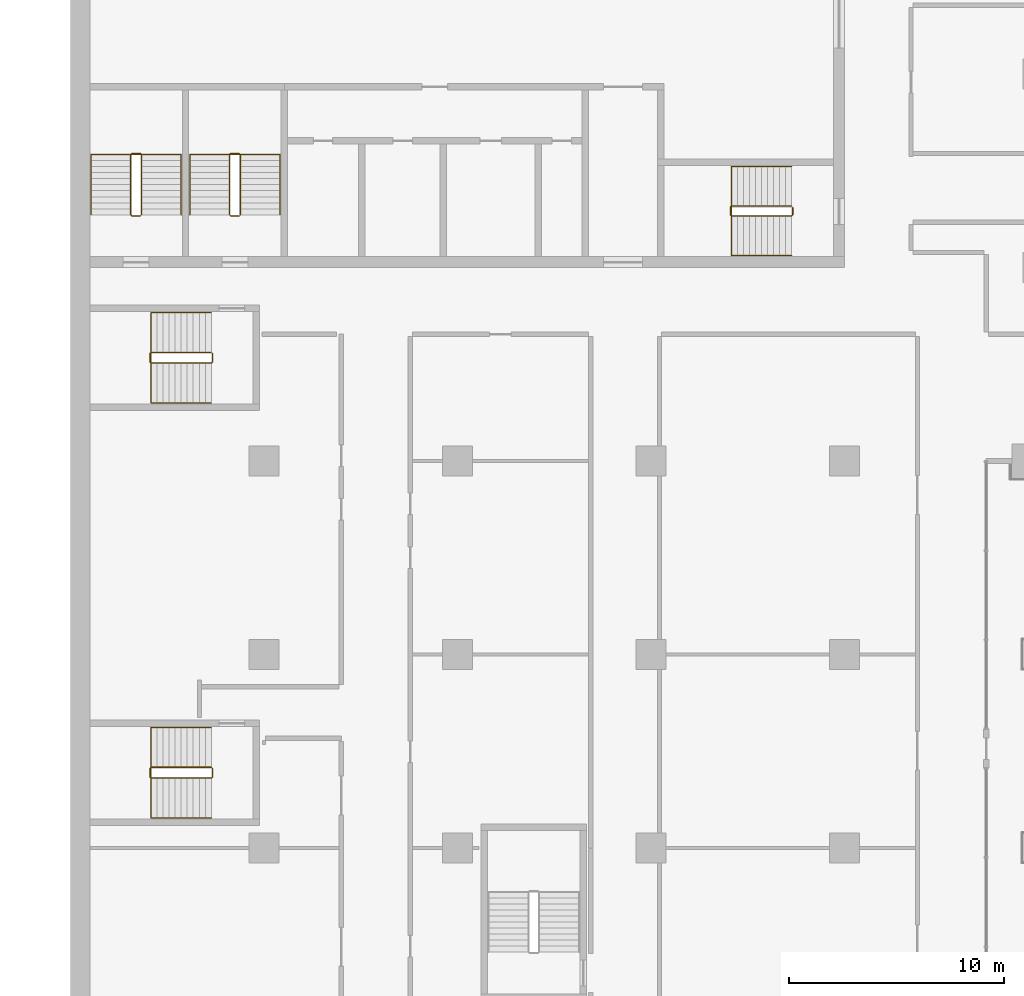
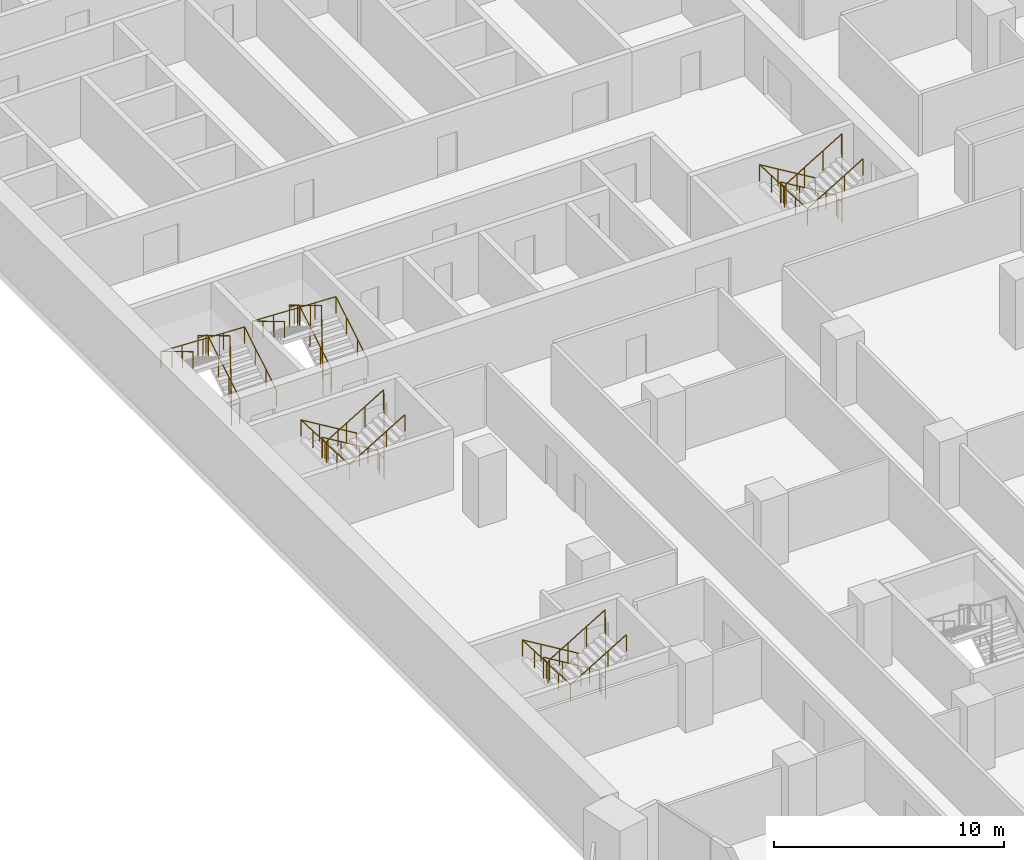
# One storey, part 25 of 28: 10 railings.
"""IFC4 building model written with IfcOpenShell, lengths in metres."""

from ifc_helpers import new_model, si_unit, direction, frame, origin, origin_2d, place, context, subcontext, project, spatial, circle, extrude, material, type_object, element, save


model = new_model("IFC4")

# Units and contexts
model_context = context("Model", 3, precision=1e-05, world=origin(), true_north=direction((0.0, 1.0)))
body_context = subcontext(model_context, "Body", "Model", "MODEL_VIEW")
ifc_project = project(units=[si_unit("LENGTHUNIT", "METRE"), si_unit("AREAUNIT", "SQUARE_METRE"), si_unit("VOLUMEUNIT", "CUBIC_METRE"), si_unit("PLANEANGLEUNIT", "RADIAN"), si_unit("MASSUNIT", "GRAM", prefix="KILO")], contexts=[model_context])

# Site, building, storey
site_placement = place(None, origin())
site = spatial("IfcSite", under=ifc_project, at=site_placement, CompositionType="ELEMENT")
building_placement = place(site_placement, origin())
building = spatial("IfcBuilding", under=site, at=building_placement, Name="Hunhe Ridgeline Campus", CompositionType="ELEMENT")
storey_placement = place(building_placement, frame((0.0, 0.0, 76.5)))
storey = spatial("IfcBuildingStorey", under=building, at=storey_placement, Name="L18", CompositionType="ELEMENT", Elevation=76.5)

# Railings
ifc_material_1 = material(Name="Stainless steel balustrade", Category="steel")
railing_type_1 = type_object("IfcRailingType", Name="Stair guard 1100 stainless", PredefinedType="GUARDRAIL", material=ifc_material_1)
railing_1_placement = place(storey_placement, frame((33.550048828125, 65.85009765625, 0.168212890625)))
element("IfcRailing", 1, at=railing_1_placement, inside=storey, type_object=railing_type_1, Name="L18 stair S2 guard", PredefinedType="GUARDRAIL", context=body_context, shape_type="SweptSolid", body=[
    extrude(circle(Radius=0.02392578125, at=origin_2d()), frame((0.0, 0.0, 1.076171875), z_axis=(-0.857242210791, 0.0, 0.514913383045), x_axis=(0.0, -1.0, 0.0)), (0.0, 0.0, 1.0), 3.266357421875),
    extrude(circle(Radius=0.02392578125, at=origin_2d()), frame((-2.800048828125, 0.0, 2.7578125), z_axis=(-0.707106781187, -0.707106781187, 0.0), x_axis=(0.707106781187, -0.707106781187, 0.0)), (0.0, 0.0, 1.0), 0.07080078125),
    extrude(circle(Radius=0.02392578125, at=origin_2d()), frame((-2.85009765625, -0.050048828125, 2.7578125), z_axis=(0.0, -1.0, 0.0), x_axis=(1.0, 0.0, 0.0)), (0.0, 0.0, 1.0), 0.35009765625),
    extrude(circle(Radius=0.02392578125, at=origin_2d()), frame((-2.85009765625, -0.400146484375, 2.7578125), z_axis=(0.274582412415, -0.274582412415, 0.921525364591), x_axis=(0.707106781187, 0.707106781187, 0.0)), (0.0, 0.0, 1.0), 0.182373046875),
    extrude(circle(Radius=0.02392578125, at=origin_2d()), frame((-2.800048828125, -0.4501953125, 2.92578125), z_axis=(0.857242210791, 0.0, 0.514913383045), x_axis=(0.0, 1.0, 0.0)), (0.0, 0.0, 1.0), 3.266357421875),
    extrude(circle(Radius=0.02392578125, at=origin_2d()), frame((0.0, -0.4501953125, 4.60791015625), z_axis=(0.013524414389, 0.013524414389, -0.999817073484), x_axis=(-0.707106781187, 0.707106781187, 0.0)), (0.0, 0.0, 1.0), 3.70068359375),
    extrude(circle(Radius=0.02392578125, at=origin_2d()), frame((0.050048828125, -0.400146484375, 0.90771484375), z_axis=(0.0, 1.0, 0.0), x_axis=(-1.0, 0.0, 0.0)), (0.0, 0.0, 1.0), 0.35009765625),
    extrude(circle(Radius=0.02099609375, at=origin_2d()), origin(), (0.0, 0.0, 1.0), 1.052001953125),
    extrude(circle(Radius=0.02099609375, at=origin_2d()), frame((-0.933349609375, 0.0, 0.560546875)), (0.0, 0.0, 1.0), 1.052001953125),
    extrude(circle(Radius=0.02099609375, at=origin_2d()), frame((-1.86669921875, 0.0, 1.121337890625)), (0.0, 0.0, 1.0), 1.052001953125),
    extrude(circle(Radius=0.02099609375, at=origin_2d()), frame((-2.800048828125, 0.0, 1.681884765625)), (0.0, 0.0, 1.0), 1.052001953125),
    extrude(circle(Radius=0.02099609375, at=origin_2d()), frame((-2.85009765625, -0.050048828125, 1.681884765625)), (0.0, 0.0, 1.0), 1.052001953125),
    extrude(circle(Radius=0.02099609375, at=origin_2d()), frame((-2.85009765625, -0.400146484375, 1.681884765625)), (0.0, 0.0, 1.0), 1.052001953125),
    extrude(circle(Radius=0.02099609375, at=origin_2d()), frame((-2.800048828125, -0.4501953125, 1.849853515625)), (0.0, 0.0, 1.0), 1.052001953125),
    extrude(circle(Radius=0.02099609375, at=origin_2d()), frame((-1.86669921875, -0.4501953125, 2.410400390625)), (0.0, 0.0, 1.0), 1.052001953125),
    extrude(circle(Radius=0.02099609375, at=origin_2d()), frame((-0.933349609375, -0.4501953125, 2.97119140625)), (0.0, 0.0, 1.0), 1.052001953125),
    extrude(circle(Radius=0.02099609375, at=origin_2d()), frame((0.0, -0.4501953125, 3.53173828125)), (0.0, 0.0, 1.0), 1.052001953125),
    extrude(circle(Radius=0.02099609375, at=origin_2d()), frame((0.012451171875, -0.437744140625, 2.606689453125)), (0.0, 0.0, 1.0), 1.052001953125),
    extrude(circle(Radius=0.02099609375, at=origin_2d()), frame((0.02490234375, -0.42529296875, 1.681640625)), (0.0, 0.0, 1.0), 1.052001953125),
    extrude(circle(Radius=0.02099609375, at=origin_2d()), frame((0.03759765625, -0.41259765625, 0.7568359375)), (0.0, 0.0, 1.0), 1.052001953125),
    extrude(circle(Radius=0.02099609375, at=origin_2d()), frame((0.050048828125, -0.400146484375, -0.168212890625)), (0.0, 0.0, 1.0), 1.052001953125),
    extrude(circle(Radius=0.02099609375, at=origin_2d()), frame((0.050048828125, -0.050048828125, -0.168212890625)), (0.0, 0.0, 1.0), 1.052001953125),
])
railing_2_placement = place(storey_placement, frame((3.300048828125, 65.449951171875, 0.168212890625)))
element("IfcRailing", 2, at=railing_2_placement, inside=storey, type_object=railing_type_1, Name="L18 stair S3 guard", PredefinedType="GUARDRAIL", context=body_context, shape_type="SweptSolid", body=[
    extrude(circle(Radius=0.02392578125, at=origin_2d()), frame((0.0, 0.0, 1.076171875), z_axis=(0.0, 0.857242210791, 0.514913383045), x_axis=(-1.0, 0.0, 0.0)), (0.0, 0.0, 1.0), 3.266357421875),
    extrude(circle(Radius=0.02392578125, at=origin_2d()), frame((0.0, 2.800048828125, 2.7578125), z_axis=(-0.707106781187, 0.707106781187, 0.0), x_axis=(-0.707106781187, -0.707106781187, 0.0)), (0.0, 0.0, 1.0), 0.07080078125),
    extrude(circle(Radius=0.02392578125, at=origin_2d()), frame((-0.050048828125, 2.85009765625, 2.7578125), z_axis=(-1.0, 0.0, 0.0), x_axis=(0.0, -1.0, 0.0)), (0.0, 0.0, 1.0), 0.39990234375),
    extrude(circle(Radius=0.02392578125, at=origin_2d()), frame((-0.449951171875, 2.85009765625, 2.7578125), z_axis=(-0.274582412415, -0.274582412415, 0.921525364591), x_axis=(0.707106781187, -0.707106781187, 0.0)), (0.0, 0.0, 1.0), 0.182373046875),
    extrude(circle(Radius=0.02392578125, at=origin_2d()), frame((-0.5, 2.800048828125, 2.92578125), z_axis=(0.0, -0.857242210791, 0.514913383045), x_axis=(1.0, 0.0, 0.0)), (0.0, 0.0, 1.0), 3.266357421875),
    extrude(circle(Radius=0.02392578125, at=origin_2d()), frame((-0.5, 0.0, 4.60791015625), z_axis=(0.013524414389, -0.013524414389, -0.999817073484), x_axis=(0.707106781187, 0.707106781187, 0.0)), (0.0, 0.0, 1.0), 3.70068359375),
    extrude(circle(Radius=0.02392578125, at=origin_2d()), frame((-0.449951171875, -0.050048828125, 0.90771484375), z_axis=(1.0, 0.0, 0.0), x_axis=(0.0, 1.0, 0.0)), (0.0, 0.0, 1.0), 0.39990234375),
    extrude(circle(Radius=0.02099609375, at=origin_2d()), origin(), (0.0, 0.0, 1.0), 1.052001953125),
    extrude(circle(Radius=0.02099609375, at=origin_2d()), frame((0.0, 0.933349609375, 0.560546875)), (0.0, 0.0, 1.0), 1.052001953125),
    extrude(circle(Radius=0.02099609375, at=origin_2d()), frame((0.0, 1.86669921875, 1.121337890625)), (0.0, 0.0, 1.0), 1.052001953125),
    extrude(circle(Radius=0.02099609375, at=origin_2d()), frame((0.0, 2.800048828125, 1.681884765625)), (0.0, 0.0, 1.0), 1.052001953125),
    extrude(circle(Radius=0.02099609375, at=origin_2d()), frame((-0.050048828125, 2.85009765625, 1.681884765625)), (0.0, 0.0, 1.0), 1.052001953125),
    extrude(circle(Radius=0.02099609375, at=origin_2d()), frame((-0.449951171875, 2.85009765625, 1.681884765625)), (0.0, 0.0, 1.0), 1.052001953125),
    extrude(circle(Radius=0.02099609375, at=origin_2d()), frame((-0.5, 2.800048828125, 1.849853515625)), (0.0, 0.0, 1.0), 1.052001953125),
    extrude(circle(Radius=0.02099609375, at=origin_2d()), frame((-0.5, 1.86669921875, 2.410400390625)), (0.0, 0.0, 1.0), 1.052001953125),
    extrude(circle(Radius=0.02099609375, at=origin_2d()), frame((-0.5, 0.933349609375, 2.97119140625)), (0.0, 0.0, 1.0), 1.052001953125),
    extrude(circle(Radius=0.02099609375, at=origin_2d()), frame((-0.5, 0.0, 3.53173828125)), (0.0, 0.0, 1.0), 1.052001953125),
    extrude(circle(Radius=0.02099609375, at=origin_2d()), frame((-0.487548828125, -0.012451171875, 2.606689453125)), (0.0, 0.0, 1.0), 1.052001953125),
    extrude(circle(Radius=0.02099609375, at=origin_2d()), frame((-0.47509765625, -0.02490234375, 1.681640625)), (0.0, 0.0, 1.0), 1.052001953125),
    extrude(circle(Radius=0.02099609375, at=origin_2d()), frame((-0.46240234375, -0.03759765625, 0.7568359375)), (0.0, 0.0, 1.0), 1.052001953125),
    extrude(circle(Radius=0.02099609375, at=origin_2d()), frame((-0.449951171875, -0.050048828125, -0.168212890625)), (0.0, 0.0, 1.0), 1.052001953125),
    extrude(circle(Radius=0.02099609375, at=origin_2d()), frame((-0.050048828125, -0.050048828125, -0.168212890625)), (0.0, 0.0, 1.0), 1.052001953125),
])
railing_3_placement = place(storey_placement, frame((7.89990234375, 65.449951171875, 0.168212890625)))
element("IfcRailing", 3, at=railing_3_placement, inside=storey, type_object=railing_type_1, Name="L18 stair S4 guard", PredefinedType="GUARDRAIL", context=body_context, shape_type="SweptSolid", body=[
    extrude(circle(Radius=0.02392578125, at=origin_2d()), frame((0.0, 0.0, 1.076171875), z_axis=(0.0, 0.857242210791, 0.514913383045), x_axis=(-1.0, 0.0, 0.0)), (0.0, 0.0, 1.0), 3.266357421875),
    extrude(circle(Radius=0.02392578125, at=origin_2d()), frame((0.0, 2.800048828125, 2.7578125), z_axis=(-0.705375805398, 0.708833529934, 0.0), x_axis=(-0.708833529934, -0.705375805398, 0.0)), (0.0, 0.0, 1.0), 0.070556640625),
    extrude(circle(Radius=0.02392578125, at=origin_2d()), frame((-0.0498046875, 2.85009765625, 2.7578125), z_axis=(-1.0, 0.0, 0.0), x_axis=(0.0, -1.0, 0.0)), (0.0, 0.0, 1.0), 0.400146484375),
    extrude(circle(Radius=0.02392578125, at=origin_2d()), frame((-0.449951171875, 2.85009765625, 2.7578125), z_axis=(-0.274582412415, -0.274582412415, 0.921525364591), x_axis=(0.707106781187, -0.707106781187, 0.0)), (0.0, 0.0, 1.0), 0.182373046875),
    extrude(circle(Radius=0.02392578125, at=origin_2d()), frame((-0.5, 2.800048828125, 2.92578125), z_axis=(0.0, -0.857242210791, 0.514913383045), x_axis=(1.0, 0.0, 0.0)), (0.0, 0.0, 1.0), 3.266357421875),
    extrude(circle(Radius=0.02392578125, at=origin_2d()), frame((-0.5, 0.0, 4.60791015625), z_axis=(0.013524414389, -0.013524414389, -0.999817073484), x_axis=(0.707106781187, 0.707106781187, 0.0)), (0.0, 0.0, 1.0), 3.70068359375),
    extrude(circle(Radius=0.02392578125, at=origin_2d()), frame((-0.449951171875, -0.050048828125, 0.90771484375), z_axis=(1.0, 0.0, 0.0), x_axis=(0.0, 1.0, 0.0)), (0.0, 0.0, 1.0), 0.400146484375),
    extrude(circle(Radius=0.02099609375, at=origin_2d()), origin(), (0.0, 0.0, 1.0), 1.052001953125),
    extrude(circle(Radius=0.02099609375, at=origin_2d()), frame((0.0, 0.933349609375, 0.560546875)), (0.0, 0.0, 1.0), 1.052001953125),
    extrude(circle(Radius=0.02099609375, at=origin_2d()), frame((0.0, 1.86669921875, 1.121337890625)), (0.0, 0.0, 1.0), 1.052001953125),
    extrude(circle(Radius=0.02099609375, at=origin_2d()), frame((0.0, 2.800048828125, 1.681884765625)), (0.0, 0.0, 1.0), 1.052001953125),
    extrude(circle(Radius=0.02099609375, at=origin_2d()), frame((-0.0498046875, 2.85009765625, 1.681884765625)), (0.0, 0.0, 1.0), 1.052001953125),
    extrude(circle(Radius=0.02099609375, at=origin_2d()), frame((-0.449951171875, 2.85009765625, 1.681884765625)), (0.0, 0.0, 1.0), 1.052001953125),
    extrude(circle(Radius=0.02099609375, at=origin_2d()), frame((-0.5, 2.800048828125, 1.849853515625)), (0.0, 0.0, 1.0), 1.052001953125),
    extrude(circle(Radius=0.02099609375, at=origin_2d()), frame((-0.5, 1.86669921875, 2.410400390625)), (0.0, 0.0, 1.0), 1.052001953125),
    extrude(circle(Radius=0.02099609375, at=origin_2d()), frame((-0.5, 0.933349609375, 2.97119140625)), (0.0, 0.0, 1.0), 1.052001953125),
    extrude(circle(Radius=0.02099609375, at=origin_2d()), frame((-0.5, 0.0, 3.53173828125)), (0.0, 0.0, 1.0), 1.052001953125),
    extrude(circle(Radius=0.02099609375, at=origin_2d()), frame((-0.487548828125, -0.012451171875, 2.606689453125)), (0.0, 0.0, 1.0), 1.052001953125),
    extrude(circle(Radius=0.02099609375, at=origin_2d()), frame((-0.47509765625, -0.02490234375, 1.681640625)), (0.0, 0.0, 1.0), 1.052001953125),
    extrude(circle(Radius=0.02099609375, at=origin_2d()), frame((-0.46240234375, -0.03759765625, 0.7568359375)), (0.0, 0.0, 1.0), 1.052001953125),
    extrude(circle(Radius=0.02099609375, at=origin_2d()), frame((-0.449951171875, -0.050048828125, -0.168212890625)), (0.0, 0.0, 1.0), 1.052001953125),
    extrude(circle(Radius=0.02099609375, at=origin_2d()), frame((-0.0498046875, -0.050048828125, -0.168212890625)), (0.0, 0.0, 1.0), 1.052001953125),
])
railing_4_placement = place(storey_placement, frame((6.550048828125, 39.75, 0.168212890625)))
element("IfcRailing", 4, at=railing_4_placement, inside=storey, type_object=railing_type_1, Name="L18 stair W1 guard", PredefinedType="GUARDRAIL", context=body_context, shape_type="SweptSolid", body=[
    extrude(circle(Radius=0.02392578125, at=origin_2d()), frame((0.0, 0.0, 1.076171875), z_axis=(-0.857242210791, 0.0, 0.514913383045), x_axis=(0.0, -1.0, 0.0)), (0.0, 0.0, 1.0), 3.266357421875),
    extrude(circle(Radius=0.02392578125, at=origin_2d()), frame((-2.800048828125, 0.0, 2.7578125), z_axis=(-0.707106781187, -0.707106781187, 0.0), x_axis=(0.707106781187, -0.707106781187, 0.0)), (0.0, 0.0, 1.0), 0.07080078125),
    extrude(circle(Radius=0.02392578125, at=origin_2d()), frame((-2.85009765625, -0.050048828125, 2.7578125), z_axis=(0.0, -1.0, 0.0), x_axis=(1.0, 0.0, 0.0)), (0.0, 0.0, 1.0), 0.39990234375),
    extrude(circle(Radius=0.02392578125, at=origin_2d()), frame((-2.85009765625, -0.449951171875, 2.7578125), z_axis=(0.274582412415, -0.274582412415, 0.921525364591), x_axis=(0.707106781187, 0.707106781187, 0.0)), (0.0, 0.0, 1.0), 0.182373046875),
    extrude(circle(Radius=0.02392578125, at=origin_2d()), frame((-2.800048828125, -0.5, 2.92578125), z_axis=(0.857242210791, 0.0, 0.514913383045), x_axis=(0.0, 1.0, 0.0)), (0.0, 0.0, 1.0), 3.266357421875),
    extrude(circle(Radius=0.02392578125, at=origin_2d()), frame((0.0, -0.5, 4.60791015625), z_axis=(0.013524414389, 0.013524414389, -0.999817073484), x_axis=(-0.707106781187, 0.707106781187, 0.0)), (0.0, 0.0, 1.0), 3.70068359375),
    extrude(circle(Radius=0.02392578125, at=origin_2d()), frame((0.050048828125, -0.449951171875, 0.90771484375), z_axis=(0.0, 1.0, 0.0), x_axis=(-1.0, 0.0, 0.0)), (0.0, 0.0, 1.0), 0.39990234375),
    extrude(circle(Radius=0.02099609375, at=origin_2d()), origin(), (0.0, 0.0, 1.0), 1.052001953125),
    extrude(circle(Radius=0.02099609375, at=origin_2d()), frame((-0.933349609375, 0.0, 0.560546875)), (0.0, 0.0, 1.0), 1.052001953125),
    extrude(circle(Radius=0.02099609375, at=origin_2d()), frame((-1.86669921875, 0.0, 1.121337890625)), (0.0, 0.0, 1.0), 1.052001953125),
    extrude(circle(Radius=0.02099609375, at=origin_2d()), frame((-2.800048828125, 0.0, 1.681884765625)), (0.0, 0.0, 1.0), 1.052001953125),
    extrude(circle(Radius=0.02099609375, at=origin_2d()), frame((-2.85009765625, -0.050048828125, 1.681884765625)), (0.0, 0.0, 1.0), 1.052001953125),
    extrude(circle(Radius=0.02099609375, at=origin_2d()), frame((-2.85009765625, -0.449951171875, 1.681884765625)), (0.0, 0.0, 1.0), 1.052001953125),
    extrude(circle(Radius=0.02099609375, at=origin_2d()), frame((-2.800048828125, -0.5, 1.849853515625)), (0.0, 0.0, 1.0), 1.052001953125),
    extrude(circle(Radius=0.02099609375, at=origin_2d()), frame((-1.86669921875, -0.5, 2.410400390625)), (0.0, 0.0, 1.0), 1.052001953125),
    extrude(circle(Radius=0.02099609375, at=origin_2d()), frame((-0.933349609375, -0.5, 2.97119140625)), (0.0, 0.0, 1.0), 1.052001953125),
    extrude(circle(Radius=0.02099609375, at=origin_2d()), frame((0.0, -0.5, 3.53173828125)), (0.0, 0.0, 1.0), 1.052001953125),
    extrude(circle(Radius=0.02099609375, at=origin_2d()), frame((0.012451171875, -0.487548828125, 2.606689453125)), (0.0, 0.0, 1.0), 1.052001953125),
    extrude(circle(Radius=0.02099609375, at=origin_2d()), frame((0.02490234375, -0.47509765625, 1.681640625)), (0.0, 0.0, 1.0), 1.052001953125),
    extrude(circle(Radius=0.02099609375, at=origin_2d()), frame((0.03759765625, -0.46240234375, 0.7568359375)), (0.0, 0.0, 1.0), 1.052001953125),
    extrude(circle(Radius=0.02099609375, at=origin_2d()), frame((0.050048828125, -0.449951171875, -0.168212890625)), (0.0, 0.0, 1.0), 1.052001953125),
    extrude(circle(Radius=0.02099609375, at=origin_2d()), frame((0.050048828125, -0.050048828125, -0.168212890625)), (0.0, 0.0, 1.0), 1.052001953125),
])
railing_5_placement = place(storey_placement, frame((6.550048828125, 59.050048828125, 0.168212890625)))
element("IfcRailing", 5, at=railing_5_placement, inside=storey, type_object=railing_type_1, Name="L18 stair W2 guard", PredefinedType="GUARDRAIL", context=body_context, shape_type="SweptSolid", body=[
    extrude(circle(Radius=0.02392578125, at=origin_2d()), frame((0.0, 0.0, 1.076171875), z_axis=(-0.857242210791, 0.0, 0.514913383045), x_axis=(0.0, -1.0, 0.0)), (0.0, 0.0, 1.0), 3.266357421875),
    extrude(circle(Radius=0.02392578125, at=origin_2d()), frame((-2.800048828125, 0.0, 2.7578125), z_axis=(-0.707106781187, -0.707106781187, 0.0), x_axis=(0.707106781187, -0.707106781187, 0.0)), (0.0, 0.0, 1.0), 0.07080078125),
    extrude(circle(Radius=0.02392578125, at=origin_2d()), frame((-2.85009765625, -0.050048828125, 2.7578125), z_axis=(0.0, -1.0, 0.0), x_axis=(1.0, 0.0, 0.0)), (0.0, 0.0, 1.0), 0.39990234375),
    extrude(circle(Radius=0.02392578125, at=origin_2d()), frame((-2.85009765625, -0.449951171875, 2.7578125), z_axis=(0.274582412415, -0.274582412415, 0.921525364591), x_axis=(0.707106781187, 0.707106781187, 0.0)), (0.0, 0.0, 1.0), 0.182373046875),
    extrude(circle(Radius=0.02392578125, at=origin_2d()), frame((-2.800048828125, -0.5, 2.92578125), z_axis=(0.857242210791, 0.0, 0.514913383045), x_axis=(0.0, 1.0, 0.0)), (0.0, 0.0, 1.0), 3.266357421875),
    extrude(circle(Radius=0.02392578125, at=origin_2d()), frame((0.0, -0.5, 4.60791015625), z_axis=(0.013524414389, 0.013524414389, -0.999817073484), x_axis=(-0.707106781187, 0.707106781187, 0.0)), (0.0, 0.0, 1.0), 3.70068359375),
    extrude(circle(Radius=0.02392578125, at=origin_2d()), frame((0.050048828125, -0.449951171875, 0.90771484375), z_axis=(0.0, 1.0, 0.0), x_axis=(-1.0, 0.0, 0.0)), (0.0, 0.0, 1.0), 0.39990234375),
    extrude(circle(Radius=0.02099609375, at=origin_2d()), origin(), (0.0, 0.0, 1.0), 1.052001953125),
    extrude(circle(Radius=0.02099609375, at=origin_2d()), frame((-0.933349609375, 0.0, 0.560546875)), (0.0, 0.0, 1.0), 1.052001953125),
    extrude(circle(Radius=0.02099609375, at=origin_2d()), frame((-1.86669921875, 0.0, 1.121337890625)), (0.0, 0.0, 1.0), 1.052001953125),
    extrude(circle(Radius=0.02099609375, at=origin_2d()), frame((-2.800048828125, 0.0, 1.681884765625)), (0.0, 0.0, 1.0), 1.052001953125),
    extrude(circle(Radius=0.02099609375, at=origin_2d()), frame((-2.85009765625, -0.050048828125, 1.681884765625)), (0.0, 0.0, 1.0), 1.052001953125),
    extrude(circle(Radius=0.02099609375, at=origin_2d()), frame((-2.85009765625, -0.449951171875, 1.681884765625)), (0.0, 0.0, 1.0), 1.052001953125),
    extrude(circle(Radius=0.02099609375, at=origin_2d()), frame((-2.800048828125, -0.5, 1.849853515625)), (0.0, 0.0, 1.0), 1.052001953125),
    extrude(circle(Radius=0.02099609375, at=origin_2d()), frame((-1.86669921875, -0.5, 2.410400390625)), (0.0, 0.0, 1.0), 1.052001953125),
    extrude(circle(Radius=0.02099609375, at=origin_2d()), frame((-0.933349609375, -0.5, 2.97119140625)), (0.0, 0.0, 1.0), 1.052001953125),
    extrude(circle(Radius=0.02099609375, at=origin_2d()), frame((0.0, -0.5, 3.53173828125)), (0.0, 0.0, 1.0), 1.052001953125),
    extrude(circle(Radius=0.02099609375, at=origin_2d()), frame((0.012451171875, -0.487548828125, 2.606689453125)), (0.0, 0.0, 1.0), 1.052001953125),
    extrude(circle(Radius=0.02099609375, at=origin_2d()), frame((0.02490234375, -0.47509765625, 1.681640625)), (0.0, 0.0, 1.0), 1.052001953125),
    extrude(circle(Radius=0.02099609375, at=origin_2d()), frame((0.03759765625, -0.46240234375, 0.7568359375)), (0.0, 0.0, 1.0), 1.052001953125),
    extrude(circle(Radius=0.02099609375, at=origin_2d()), frame((0.050048828125, -0.449951171875, -0.168212890625)), (0.0, 0.0, 1.0), 1.052001953125),
    extrude(circle(Radius=0.02099609375, at=origin_2d()), frame((0.050048828125, -0.050048828125, -0.168212890625)), (0.0, 0.0, 1.0), 1.052001953125),
])
ifc_material_2 = material(Name="Stainless steel handrail", Category="steel")
railing_type_2 = type_object("IfcRailingType", Name="Stair handrail 900 stainless", PredefinedType="HANDRAIL", material=ifc_material_2)
railing_6_placement = place(storey_placement, frame((33.550048828125, 67.699951171875, 0.168212890625)))
element("IfcRailing", 6, at=railing_6_placement, inside=storey, type_object=railing_type_2, Name="L18 stair S2 handrail", PredefinedType="HANDRAIL", context=body_context, shape_type="SweptSolid", body=[
    extrude(circle(Radius=0.02392578125, at=origin_2d()), frame((0.0, 0.0, 0.8759765625), z_axis=(-0.857242210791, 0.0, 0.514913383045), x_axis=(0.0, -1.0, 0.0)), (0.0, 0.0, 1.0), 3.266357421875),
    extrude(circle(Radius=0.02392578125, at=origin_2d()), frame((-2.800048828125, 0.0, 2.5576171875), z_axis=(0.0, -0.999181878101, 0.040442236271), x_axis=(1.0, 0.0, 0.0)), (0.0, 0.0, 1.0), 4.1533203125),
    extrude(circle(Radius=0.02392578125, at=origin_2d()), frame((-2.800048828125, -4.14990234375, 2.7255859375), z_axis=(0.857242210791, 0.0, 0.514913383045), x_axis=(0.0, 1.0, 0.0)), (0.0, 0.0, 1.0), 3.266357421875),
    extrude(circle(Radius=0.02099609375, at=origin_2d()), origin(), (0.0, 0.0, 1.0), 0.851806640625),
    extrude(circle(Radius=0.02099609375, at=origin_2d()), frame((-0.933349609375, 0.0, 0.560546875)), (0.0, 0.0, 1.0), 0.851806640625),
    extrude(circle(Radius=0.02099609375, at=origin_2d()), frame((-1.86669921875, 0.0, 1.121337890625)), (0.0, 0.0, 1.0), 0.851806640625),
    extrude(circle(Radius=0.02099609375, at=origin_2d()), frame((-2.800048828125, 0.0, 1.681884765625)), (0.0, 0.0, 1.0), 0.851806640625),
    extrude(circle(Radius=0.02099609375, at=origin_2d()), frame((-2.800048828125, -1.03759765625, 1.723876953125)), (0.0, 0.0, 1.0), 0.851806640625),
    extrude(circle(Radius=0.02099609375, at=origin_2d()), frame((-2.800048828125, -2.074951171875, 1.765869140625)), (0.0, 0.0, 1.0), 0.851806640625),
    extrude(circle(Radius=0.02099609375, at=origin_2d()), frame((-2.800048828125, -3.1123046875, 1.807861328125)), (0.0, 0.0, 1.0), 0.851806640625),
    extrude(circle(Radius=0.02099609375, at=origin_2d()), frame((-2.800048828125, -4.14990234375, 1.849853515625)), (0.0, 0.0, 1.0), 0.851806640625),
    extrude(circle(Radius=0.02099609375, at=origin_2d()), frame((-1.86669921875, -4.14990234375, 2.410400390625)), (0.0, 0.0, 1.0), 0.851806640625),
    extrude(circle(Radius=0.02099609375, at=origin_2d()), frame((-0.933349609375, -4.14990234375, 2.97119140625)), (0.0, 0.0, 1.0), 0.851806640625),
    extrude(circle(Radius=0.02099609375, at=origin_2d()), frame((0.0, -4.14990234375, 3.53173828125)), (0.0, 0.0, 1.0), 0.851806640625),
])
railing_7_placement = place(storey_placement, frame((5.14990234375, 65.449951171875, 0.168212890625)))
element("IfcRailing", 7, at=railing_7_placement, inside=storey, type_object=railing_type_2, Name="L18 stair S3 handrail", PredefinedType="HANDRAIL", context=body_context, shape_type="SweptSolid", body=[
    extrude(circle(Radius=0.02392578125, at=origin_2d()), frame((0.0, 0.0, 0.8759765625), z_axis=(0.0, 0.857242210791, 0.514913383045), x_axis=(-1.0, 0.0, 0.0)), (0.0, 0.0, 1.0), 3.266357421875),
    extrude(circle(Radius=0.02392578125, at=origin_2d()), frame((0.0, 2.800048828125, 2.5576171875), z_axis=(-0.99920123705, 0.0, 0.039961079526), x_axis=(0.0, -1.0, 0.0)), (0.0, 0.0, 1.0), 4.203369140625),
    extrude(circle(Radius=0.02392578125, at=origin_2d()), frame((-4.199951171875, 2.800048828125, 2.7255859375), z_axis=(0.0, -0.857242210791, 0.514913383045), x_axis=(1.0, 0.0, 0.0)), (0.0, 0.0, 1.0), 3.266357421875),
    extrude(circle(Radius=0.02099609375, at=origin_2d()), origin(), (0.0, 0.0, 1.0), 0.851806640625),
    extrude(circle(Radius=0.02099609375, at=origin_2d()), frame((0.0, 0.933349609375, 0.560546875)), (0.0, 0.0, 1.0), 0.851806640625),
    extrude(circle(Radius=0.02099609375, at=origin_2d()), frame((0.0, 1.86669921875, 1.121337890625)), (0.0, 0.0, 1.0), 0.851806640625),
    extrude(circle(Radius=0.02099609375, at=origin_2d()), frame((0.0, 2.800048828125, 1.681884765625)), (0.0, 0.0, 1.0), 0.851806640625),
    extrude(circle(Radius=0.02099609375, at=origin_2d()), frame((-1.050048828125, 2.800048828125, 1.723876953125)), (0.0, 0.0, 1.0), 0.851806640625),
    extrude(circle(Radius=0.02099609375, at=origin_2d()), frame((-2.10009765625, 2.800048828125, 1.765869140625)), (0.0, 0.0, 1.0), 0.851806640625),
    extrude(circle(Radius=0.02099609375, at=origin_2d()), frame((-3.14990234375, 2.800048828125, 1.807861328125)), (0.0, 0.0, 1.0), 0.851806640625),
    extrude(circle(Radius=0.02099609375, at=origin_2d()), frame((-4.199951171875, 2.800048828125, 1.849853515625)), (0.0, 0.0, 1.0), 0.851806640625),
    extrude(circle(Radius=0.02099609375, at=origin_2d()), frame((-4.199951171875, 1.86669921875, 2.410400390625)), (0.0, 0.0, 1.0), 0.851806640625),
    extrude(circle(Radius=0.02099609375, at=origin_2d()), frame((-4.199951171875, 0.933349609375, 2.97119140625)), (0.0, 0.0, 1.0), 0.851806640625),
    extrude(circle(Radius=0.02099609375, at=origin_2d()), frame((-4.199951171875, 0.0, 3.53173828125)), (0.0, 0.0, 1.0), 0.851806640625),
])
railing_8_placement = place(storey_placement, frame((9.75, 65.449951171875, 0.168212890625)))
element("IfcRailing", 8, at=railing_8_placement, inside=storey, type_object=railing_type_2, Name="L18 stair S4 handrail", PredefinedType="HANDRAIL", context=body_context, shape_type="SweptSolid", body=[
    extrude(circle(Radius=0.02392578125, at=origin_2d()), frame((0.0, 0.0, 0.8759765625), z_axis=(0.0, 0.857242210791, 0.514913383045), x_axis=(-1.0, 0.0, 0.0)), (0.0, 0.0, 1.0), 3.266357421875),
    extrude(circle(Radius=0.02392578125, at=origin_2d()), frame((0.0, 2.800048828125, 2.5576171875), z_axis=(-0.99920123705, 0.0, 0.039961079526), x_axis=(0.0, -1.0, 0.0)), (0.0, 0.0, 1.0), 4.203369140625),
    extrude(circle(Radius=0.02392578125, at=origin_2d()), frame((-4.199951171875, 2.800048828125, 2.7255859375), z_axis=(0.0, -0.857242210791, 0.514913383045), x_axis=(1.0, 0.0, 0.0)), (0.0, 0.0, 1.0), 3.266357421875),
    extrude(circle(Radius=0.02099609375, at=origin_2d()), origin(), (0.0, 0.0, 1.0), 0.851806640625),
    extrude(circle(Radius=0.02099609375, at=origin_2d()), frame((0.0, 0.933349609375, 0.560546875)), (0.0, 0.0, 1.0), 0.851806640625),
    extrude(circle(Radius=0.02099609375, at=origin_2d()), frame((0.0, 1.86669921875, 1.121337890625)), (0.0, 0.0, 1.0), 0.851806640625),
    extrude(circle(Radius=0.02099609375, at=origin_2d()), frame((0.0, 2.800048828125, 1.681884765625)), (0.0, 0.0, 1.0), 0.851806640625),
    extrude(circle(Radius=0.02099609375, at=origin_2d()), frame((-1.050048828125, 2.800048828125, 1.723876953125)), (0.0, 0.0, 1.0), 0.851806640625),
    extrude(circle(Radius=0.02099609375, at=origin_2d()), frame((-2.10009765625, 2.800048828125, 1.765869140625)), (0.0, 0.0, 1.0), 0.851806640625),
    extrude(circle(Radius=0.02099609375, at=origin_2d()), frame((-3.14990234375, 2.800048828125, 1.807861328125)), (0.0, 0.0, 1.0), 0.851806640625),
    extrude(circle(Radius=0.02099609375, at=origin_2d()), frame((-4.199951171875, 2.800048828125, 1.849853515625)), (0.0, 0.0, 1.0), 0.851806640625),
    extrude(circle(Radius=0.02099609375, at=origin_2d()), frame((-4.199951171875, 1.86669921875, 2.410400390625)), (0.0, 0.0, 1.0), 0.851806640625),
    extrude(circle(Radius=0.02099609375, at=origin_2d()), frame((-4.199951171875, 0.933349609375, 2.97119140625)), (0.0, 0.0, 1.0), 0.851806640625),
    extrude(circle(Radius=0.02099609375, at=origin_2d()), frame((-4.199951171875, 0.0, 3.53173828125)), (0.0, 0.0, 1.0), 0.851806640625),
])
railing_9_placement = place(storey_placement, frame((6.550048828125, 41.60009765625, 0.168212890625)))
element("IfcRailing", 9, at=railing_9_placement, inside=storey, type_object=railing_type_2, Name="L18 stair W1 handrail", PredefinedType="HANDRAIL", context=body_context, shape_type="SweptSolid", body=[
    extrude(circle(Radius=0.02392578125, at=origin_2d()), frame((0.0, 0.0, 0.8759765625), z_axis=(-0.857242210791, 0.0, 0.514913383045), x_axis=(0.0, -1.0, 0.0)), (0.0, 0.0, 1.0), 3.266357421875),
    extrude(circle(Radius=0.02392578125, at=origin_2d()), frame((-2.800048828125, 0.0, 2.5576171875), z_axis=(0.0, -0.999201329794, 0.039958760457), x_axis=(1.0, 0.0, 0.0)), (0.0, 0.0, 1.0), 4.20361328125),
    extrude(circle(Radius=0.02392578125, at=origin_2d()), frame((-2.800048828125, -4.2001953125, 2.7255859375), z_axis=(0.857242210791, 0.0, 0.514913383045), x_axis=(0.0, 1.0, 0.0)), (0.0, 0.0, 1.0), 3.266357421875),
    extrude(circle(Radius=0.02099609375, at=origin_2d()), origin(), (0.0, 0.0, 1.0), 0.851806640625),
    extrude(circle(Radius=0.02099609375, at=origin_2d()), frame((-0.933349609375, 0.0, 0.560546875)), (0.0, 0.0, 1.0), 0.851806640625),
    extrude(circle(Radius=0.02099609375, at=origin_2d()), frame((-1.86669921875, 0.0, 1.121337890625)), (0.0, 0.0, 1.0), 0.851806640625),
    extrude(circle(Radius=0.02099609375, at=origin_2d()), frame((-2.800048828125, 0.0, 1.681884765625)), (0.0, 0.0, 1.0), 0.851806640625),
    extrude(circle(Radius=0.02099609375, at=origin_2d()), frame((-2.800048828125, -1.050048828125, 1.723876953125)), (0.0, 0.0, 1.0), 0.851806640625),
    extrude(circle(Radius=0.02099609375, at=origin_2d()), frame((-2.800048828125, -2.10009765625, 1.765869140625)), (0.0, 0.0, 1.0), 0.851806640625),
    extrude(circle(Radius=0.02099609375, at=origin_2d()), frame((-2.800048828125, -3.150146484375, 1.807861328125)), (0.0, 0.0, 1.0), 0.851806640625),
    extrude(circle(Radius=0.02099609375, at=origin_2d()), frame((-2.800048828125, -4.2001953125, 1.849853515625)), (0.0, 0.0, 1.0), 0.851806640625),
    extrude(circle(Radius=0.02099609375, at=origin_2d()), frame((-1.86669921875, -4.2001953125, 2.410400390625)), (0.0, 0.0, 1.0), 0.851806640625),
    extrude(circle(Radius=0.02099609375, at=origin_2d()), frame((-0.933349609375, -4.2001953125, 2.97119140625)), (0.0, 0.0, 1.0), 0.851806640625),
    extrude(circle(Radius=0.02099609375, at=origin_2d()), frame((0.0, -4.2001953125, 3.53173828125)), (0.0, 0.0, 1.0), 0.851806640625),
])
railing_10_placement = place(storey_placement, frame((6.550048828125, 60.89990234375, 0.168212890625)))
element("IfcRailing", 10, at=railing_10_placement, inside=storey, type_object=railing_type_2, Name="L18 stair W2 handrail", PredefinedType="HANDRAIL", context=body_context, shape_type="SweptSolid", body=[
    extrude(circle(Radius=0.02392578125, at=origin_2d()), frame((0.0, 0.0, 0.8759765625), z_axis=(-0.857242210791, 0.0, 0.514913383045), x_axis=(0.0, -1.0, 0.0)), (0.0, 0.0, 1.0), 3.266357421875),
    extrude(circle(Radius=0.02392578125, at=origin_2d()), frame((-2.800048828125, 0.0, 2.5576171875), z_axis=(0.0, -0.99920123705, 0.039961079526), x_axis=(1.0, 0.0, 0.0)), (0.0, 0.0, 1.0), 4.203369140625),
    extrude(circle(Radius=0.02392578125, at=origin_2d()), frame((-2.800048828125, -4.199951171875, 2.7255859375), z_axis=(0.857242210791, 0.0, 0.514913383045), x_axis=(0.0, 1.0, 0.0)), (0.0, 0.0, 1.0), 3.266357421875),
    extrude(circle(Radius=0.02099609375, at=origin_2d()), origin(), (0.0, 0.0, 1.0), 0.851806640625),
    extrude(circle(Radius=0.02099609375, at=origin_2d()), frame((-0.933349609375, 0.0, 0.560546875)), (0.0, 0.0, 1.0), 0.851806640625),
    extrude(circle(Radius=0.02099609375, at=origin_2d()), frame((-1.86669921875, 0.0, 1.121337890625)), (0.0, 0.0, 1.0), 0.851806640625),
    extrude(circle(Radius=0.02099609375, at=origin_2d()), frame((-2.800048828125, 0.0, 1.681884765625)), (0.0, 0.0, 1.0), 0.851806640625),
    extrude(circle(Radius=0.02099609375, at=origin_2d()), frame((-2.800048828125, -1.050048828125, 1.723876953125)), (0.0, 0.0, 1.0), 0.851806640625),
    extrude(circle(Radius=0.02099609375, at=origin_2d()), frame((-2.800048828125, -2.10009765625, 1.765869140625)), (0.0, 0.0, 1.0), 0.851806640625),
    extrude(circle(Radius=0.02099609375, at=origin_2d()), frame((-2.800048828125, -3.14990234375, 1.807861328125)), (0.0, 0.0, 1.0), 0.851806640625),
    extrude(circle(Radius=0.02099609375, at=origin_2d()), frame((-2.800048828125, -4.199951171875, 1.849853515625)), (0.0, 0.0, 1.0), 0.851806640625),
    extrude(circle(Radius=0.02099609375, at=origin_2d()), frame((-1.86669921875, -4.199951171875, 2.410400390625)), (0.0, 0.0, 1.0), 0.851806640625),
    extrude(circle(Radius=0.02099609375, at=origin_2d()), frame((-0.933349609375, -4.199951171875, 2.97119140625)), (0.0, 0.0, 1.0), 0.851806640625),
    extrude(circle(Radius=0.02099609375, at=origin_2d()), frame((0.0, -4.199951171875, 3.53173828125)), (0.0, 0.0, 1.0), 0.851806640625),
])

save(model, "model.ifc")
